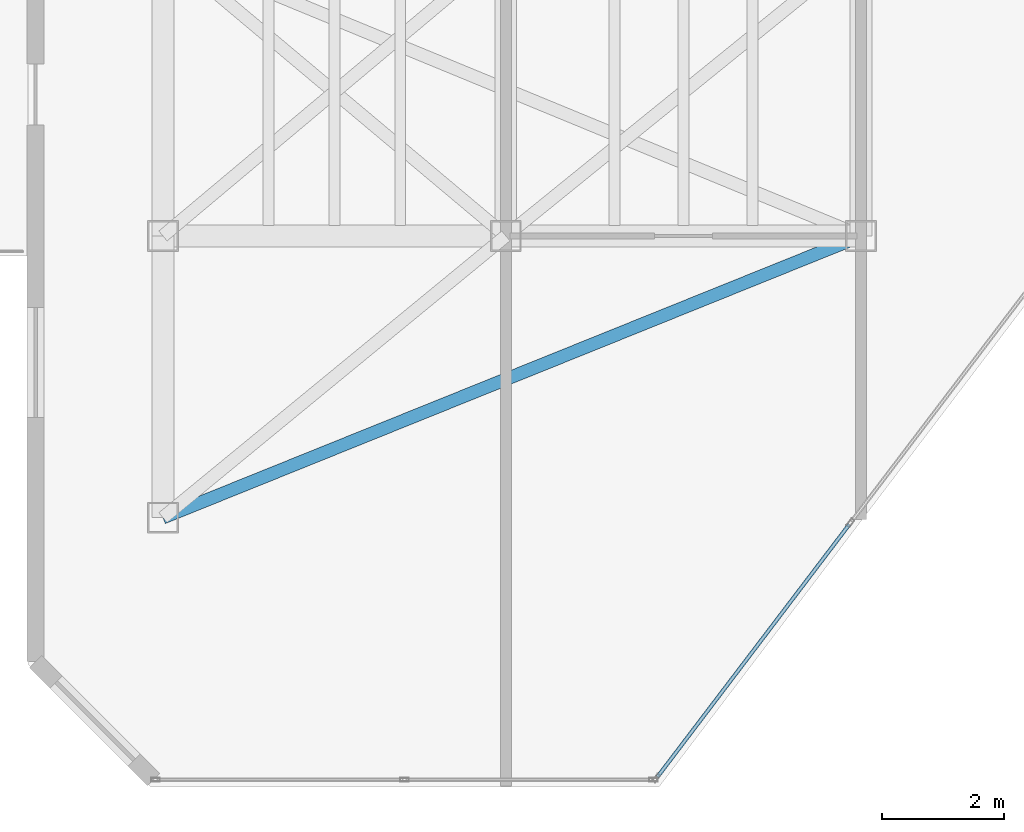
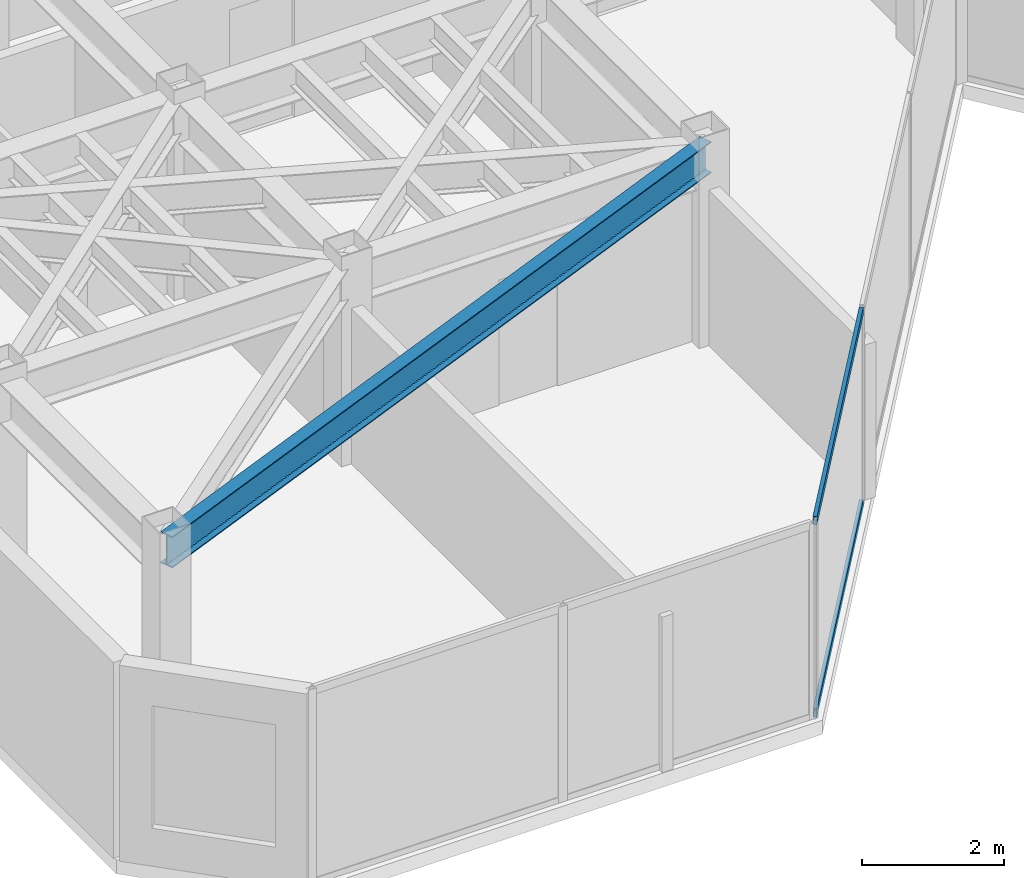
# One storey, part 3 of 17: 2 members, 1 beam, 1 element without a shape of its own.
"""IFC4 building model written with IfcOpenShell, lengths in metres."""

import ifcopenshell
import ifcopenshell.guid

model = None  # the IFC model being written
_history = None  # IfcOwnerHistory: only IFC2X3 demands one
_inside = {}  # id of a spatial element -> (the spatial element, [elements in it])
_under = {}  # id of a project, library or spatial element -> (it, [spatial elements below it])
_declared = {}  # id of a project -> (the project, [libraries it declares])
_typed = {}  # id of a type object -> (the type object, [elements of that type])
_made_of = {}  # id of a material, layer set ... -> (it, [elements and type objects made of it])


def new_model(schema):
    """Start an empty IFC model of exactly this schema.

    Asked for "IFC4X3", IfcOpenShell would pick the latest addendum, in which some entities
    have other attributes; the version numbers below select the first issue.
    IFC2X3 requires an IfcOwnerHistory on every rooted entity: one is made here for all.
    """
    global model, _history
    if schema == "IFC4X3":
        model = ifcopenshell.file(schema_version=(4, 3, 0, 0))
    else:
        model = ifcopenshell.file(schema=schema)
    _inside.clear()
    _under.clear()
    _declared.clear()
    _typed.clear()
    _made_of.clear()
    _history = None
    if model.schema == "IFC2X3":
        org = make("IfcOrganization", Name="unknown")
        user = make(
            "IfcPersonAndOrganization",
            ThePerson=make("IfcPerson", FamilyName="unknown"),
            TheOrganization=org,
        )
        app = make(
            "IfcApplication",
            ApplicationDeveloper=org,
            Version="unknown",
            ApplicationFullName="unknown",
            ApplicationIdentifier="unknown",
        )
        _history = make(
            "IfcOwnerHistory",
            OwningUser=user,
            OwningApplication=app,
            ChangeAction="ADDED",
            CreationDate=0,
        )
    return model


def make(cls, **values):
    """One entity of the class cls with the attributes given. An attribute that is None is left unset."""
    return model.create_entity(
        cls, **{name: value for name, value in values.items() if value is not None}
    )


def rooted(cls, **values):
    """An entity with a GlobalId (a new one), such as an element, a storey or a relation."""
    return make(cls, GlobalId=ifcopenshell.guid.new(), OwnerHistory=_history, **values)


def si_unit(unit_type, name, prefix=None):
    """IfcSIUnit, for example si_unit("LENGTHUNIT", "METRE", prefix="MILLI")."""
    return make("IfcSIUnit", UnitType=unit_type, Prefix=prefix, Name=name)


def assignment(units):
    """IfcUnitAssignment: the units of a project."""
    return None if units is None else make("IfcUnitAssignment", Units=units)


def point(xyz):
    """IfcCartesianPoint."""
    return None if xyz is None else make("IfcCartesianPoint", Coordinates=xyz)


def direction(xyz):
    """IfcDirection."""
    return None if xyz is None else make("IfcDirection", DirectionRatios=xyz)


def frame(location, z_axis=None, x_axis=None):
    """IfcAxis2Placement3D, a coordinate frame: its origin and axes. An axis left out is left unset."""
    return make(
        "IfcAxis2Placement3D",
        Location=point(location),
        Axis=direction(z_axis),
        RefDirection=direction(x_axis),
    )


def frame_2d(location, x_axis=None):
    """IfcAxis2Placement2D, a coordinate frame in the plane: its origin and x axis."""
    return make(
        "IfcAxis2Placement2D", Location=point(location), RefDirection=direction(x_axis)
    )


def origin():
    """The frame at (0, 0, 0) with its axes left unset."""
    return frame((0.0, 0.0, 0.0))


def origin_2d():
    """The frame at (0, 0) in the plane with its x axis left unset."""
    return frame_2d((0.0, 0.0))


def place(relative_to, where):
    """IfcLocalPlacement: puts the frame where relative to a parent placement (None: the world)."""
    return make(
        "IfcLocalPlacement", PlacementRelTo=relative_to, RelativePlacement=where
    )


def context(
    kind, dimensions, precision=None, world=None, true_north=None, identifier=None
):
    """IfcGeometricRepresentationContext, for example the 3D "Model" context."""
    return make(
        "IfcGeometricRepresentationContext",
        ContextIdentifier=identifier,
        ContextType=kind,
        CoordinateSpaceDimension=dimensions,
        Precision=precision,
        WorldCoordinateSystem=world,
        TrueNorth=true_north,
    )


def subcontext(parent, identifier, kind, view, scale=None):
    """IfcGeometricRepresentationSubContext, for example "Body" below "Model"."""
    return make(
        "IfcGeometricRepresentationSubContext",
        ContextIdentifier=identifier,
        ContextType=kind,
        ParentContext=parent,
        TargetScale=scale,
        TargetView=view,
    )


def project(units=None, contexts=None):
    """IfcProject with its units and contexts."""
    return rooted(
        "IfcProject",
        Name="project",
        RepresentationContexts=contexts,
        UnitsInContext=assignment(units),
    )


def spatial(cls, under=None, at=None, **own):
    """A site, building, storey or space (cls), placed at a placement, below another one or the project."""
    s = rooted(cls, ObjectPlacement=at, **own)
    if under is not None:
        _under.setdefault(under.id(), (under, []))[1].append(s)
    return s


def profile(cls, at=None, kind="AREA", **sizes):
    """A parametric profile (cls). Its sizes go by their IFC names, for example OverallWidth=200.0."""
    return make(cls, ProfileType=kind, Position=at, **sizes)


def hollow_rectangle(**sizes):
    """IfcRectangleHollowProfileDef."""
    return profile("IfcRectangleHollowProfileDef", **sizes)


def i_section(**sizes):
    """IfcIShapeProfileDef."""
    return profile("IfcIShapeProfileDef", **sizes)


def extrude(swept, where, along, depth):
    """IfcExtrudedAreaSolid: the profile swept, set in the frame where, extruded along a direction by depth."""
    return make(
        "IfcExtrudedAreaSolid",
        SweptArea=swept,
        Position=where,
        ExtrudedDirection=direction(along),
        Depth=depth,
    )


def shape(context_of_items, identifier, shape_type, items):
    """IfcShapeRepresentation: the items that make up one representation, for example the "Body"."""
    return make(
        "IfcShapeRepresentation",
        ContextOfItems=context_of_items,
        RepresentationIdentifier=identifier,
        RepresentationType=shape_type,
        Items=items,
    )


def material(Name=None, Category=None):
    """IfcMaterial."""
    return make("IfcMaterial", Name=Name, Category=Category)


def layer(
    of_material, thickness, ventilated=None, Name=None, Category=None, Priority=None
):
    """IfcMaterialLayer: one layer of a wall or slab, of a material (None: an air gap)."""
    return make(
        "IfcMaterialLayer",
        Material=of_material,
        LayerThickness=thickness,
        IsVentilated=ventilated,
        Name=Name,
        Category=Category,
        Priority=Priority,
    )


def layer_set(layers, Name=None):
    """IfcMaterialLayerSet."""
    return make("IfcMaterialLayerSet", MaterialLayers=layers, LayerSetName=Name)


def material_profile(
    of_material, cross_section, Name=None, Category=None, Priority=None
):
    """IfcMaterialProfile: a cross section and its material."""
    return make(
        "IfcMaterialProfile",
        Name=Name,
        Material=of_material,
        Profile=cross_section,
        Priority=Priority,
        Category=Category,
    )


def profile_set(profiles, Name=None, composite=None):
    """IfcMaterialProfileSet."""
    return make(
        "IfcMaterialProfileSet",
        Name=Name,
        MaterialProfiles=profiles,
        CompositeProfile=composite,
    )


def made_of(thing, what):
    """Note that an element or type object is made of a material, layer set ...; save() writes the relation."""
    if what is not None:
        _made_of.setdefault(what.id(), (what, []))[1].append(thing)
    return thing


def type_object(cls, material=None, **own):
    """A type object (cls), such as IfcWallType, which elements share."""
    return made_of(rooted(cls, **own), material)


def element(
    cls,
    number,
    at=None,
    inside=None,
    cuts=None,
    type_object=None,
    material=None,
    context=None,
    identifier="Body",
    shape_type=None,
    held_by="IfcProductDefinitionShape",
    body=None,
    shapes=None,
    **own,
):
    """One element of the class cls, such as IfcWall. Its Tag is "e" and its number.

    at: its placement. inside: the storey or other place that contains it. cuts: it is an
    opening in that element (IfcRelVoidsElement). A single representation is given by context,
    identifier, shape_type and body (its items); several are given by shapes. held_by: the class
    of the entity that holds the representations. save() writes the other relations.
    """
    e = rooted(cls, Tag="e%d" % number, ObjectPlacement=at, **own)
    if body is not None:
        shapes = [shape(context, identifier, shape_type, body)]
    if shapes is not None:
        e.Representation = make(held_by, Representations=shapes)
    if inside is not None:
        _inside.setdefault(inside.id(), (inside, []))[1].append(e)
    if cuts is not None:
        rooted(
            "IfcRelVoidsElement", RelatingBuildingElement=cuts, RelatedOpeningElement=e
        )
    if type_object is not None:
        _typed.setdefault(type_object.id(), (type_object, []))[1].append(e)
    return made_of(e, material)


def aggregate(whole, parts):
    """IfcRelAggregates: a whole, such as a stair, and the parts it consists of."""
    return rooted("IfcRelAggregates", RelatingObject=whole, RelatedObjects=parts)


def save(model, path):
    """Write the relations noted so far, then the file.

    IfcRelAggregates (storeys below a building ...), IfcRelContainedInSpatialStructure (elements
    in a storey), IfcRelDefinesByType, IfcRelAssociatesMaterial and IfcRelDeclares: one each for
    every whole, place, type object, material and project.
    """
    for whole, parts in _under.values():
        aggregate(whole, parts)
    for where, things in _inside.values():
        rooted(
            "IfcRelContainedInSpatialStructure",
            RelatedElements=things,
            RelatingStructure=where,
        )
    for kind, things in _typed.values():
        rooted("IfcRelDefinesByType", RelatedObjects=things, RelatingType=kind)
    for what, things in _made_of.values():
        rooted("IfcRelAssociatesMaterial", RelatedObjects=things, RelatingMaterial=what)
    for by, libraries in _declared.values():
        rooted("IfcRelDeclares", RelatingContext=by, RelatedDefinitions=libraries)
    model.write(path)


model = new_model("IFC4")

# Units and contexts
model_context = context("Model", 3, precision=1e-05, world=origin(), true_north=direction((0.0, 1.0)))
body_context = subcontext(model_context, "Body", "Model", "MODEL_VIEW")
ifc_project = project(units=[si_unit("LENGTHUNIT", "METRE"), si_unit("AREAUNIT", "SQUARE_METRE"), si_unit("VOLUMEUNIT", "CUBIC_METRE"), si_unit("PLANEANGLEUNIT", "RADIAN"), si_unit("MASSUNIT", "GRAM", prefix="KILO")], contexts=[model_context])

# Site, building, storey
site_placement = place(None, origin())
site = spatial("IfcSite", under=ifc_project, at=site_placement, CompositionType="ELEMENT")
building_placement = place(site_placement, origin())
building = spatial("IfcBuilding", under=site, at=building_placement, Name="Kravanh Interchange Tower", CompositionType="ELEMENT")
storey_placement = place(building_placement, frame((0.0, 0.0, 256.199951171875)))
storey = spatial("IfcBuildingStorey", under=building, at=storey_placement, Name="L62", CompositionType="ELEMENT", Elevation=256.199951171875)

# Curtain wall, members
ifc_material_1 = material(Name="Anodised Bronze Aluminium", Category="aluminium")
ifc_layer = layer(ifc_material_1, 0.179931640625)
ifc_layer_set = layer_set([ifc_layer], Name="Unitised Curtain Wall System CW-HTL Luxury Hotel")
curtain_wall_type = type_object("IfcCurtainWallType", Name="Unitised Curtain Wall System CW-HTL Luxury Hotel", PredefinedType="NOTDEFINED", material=ifc_layer_set)
curtain_wall_placement = place(storey_placement, origin())
curtain_wall = element("IfcCurtainWall", 1, at=curtain_wall_placement, inside=storey, type_object=curtain_wall_type, Name="L62 Unitised Curtain Wall CW-L62-04", PredefinedType="NOTDEFINED")
ifc_material_2 = material(Name="Anodised Bronze Aluminium", Category="aluminium")
ifc_material_profile_1 = material_profile(ifc_material_2, hollow_rectangle(XDim=0.06005859375, YDim=0.139892578125, WallThickness=0.00390625, at=origin_2d()), Name="ALU60X140X4")
ifc_profile_set_1 = profile_set([ifc_material_profile_1], Name="Anodised Bronze Aluminium")
member_type = type_object("IfcMemberType", Name="Curtain Wall Transom ALU60X140X4 Bronze", PredefinedType="USERDEFINED", material=ifc_profile_set_1)
member_1_placement = place(storey_placement, frame((38.408935546875, 22.0888671875, 0.030029296875), z_axis=(-0.605089246946, -0.796157649734, 0.0), x_axis=(0.796157649734, -0.605089246946, 0.0)))
member_1 = element("IfcMember", 2, at=member_1_placement, type_object=member_type, Name="CW-HTL transom 3.1", ObjectType="TRANSOM", PredefinedType="USERDEFINED", context=body_context, shape_type="SweptSolid", body=[
    extrude(hollow_rectangle(XDim=0.06005859375, YDim=0.139892578125, WallThickness=0.00390625, at=origin_2d()), origin(), (0.0, 0.0, 1.0), 5.17626953125),
])
member_2_placement = place(storey_placement, frame((38.408935546875, 22.0888671875, 3.330078125), z_axis=(-0.605089246946, -0.796157649734, 0.0), x_axis=(0.796157649734, -0.605089246946, 0.0)))
member_2 = element("IfcMember", 3, at=member_2_placement, type_object=member_type, Name="CW-HTL transom 3.2", ObjectType="TRANSOM", PredefinedType="USERDEFINED", context=body_context, shape_type="SweptSolid", body=[
    extrude(hollow_rectangle(XDim=0.06005859375, YDim=0.139892578125, WallThickness=0.00390625, at=origin_2d()), origin(), (0.0, 0.0, 1.0), 5.17626953125),
])
aggregate(curtain_wall, [member_1, member_2])

# Beam
ifc_material_3 = material(Name="Structural Steel S355", Category="steel")
ifc_material_profile_2 = material_profile(ifc_material_3, i_section(OverallWidth=0.2099609375, OverallDepth=0.537109375, WebThickness=0.010986328125, FlangeThickness=0.017333984375, FilletRadius=0.02001953125, at=origin_2d()), Name="W21X68")
ifc_profile_set_2 = profile_set([ifc_material_profile_2], Name="Structural Steel S355")
beam_type = type_object("IfcBeamType", Name="Floor Spandrel W21X68 Structural Steel S355", PredefinedType="SPANDREL", material=ifc_profile_set_2)
beam_placement = place(storey_placement, frame((38.60009765625, 26.800048828125, 3.091552734375), z_axis=(-0.927349344428, -0.374196730864, 0.0), x_axis=(0.374196730864, -0.927349344428, 0.0)))
element("IfcBeam", 4, at=beam_placement, inside=storey, type_object=beam_type, Name="L62 Perimeter Spandrel 30", PredefinedType="SPANDREL", context=body_context, shape_type="SweptSolid", body=[
    extrude(i_section(OverallWidth=0.2099609375, OverallDepth=0.537109375, WebThickness=0.010986328125, FlangeThickness=0.017333984375, FilletRadius=0.02001953125, at=origin_2d()), origin(), (0.0, 0.0, 1.0), 12.293212890625),
])

save(model, "model.ifc")
